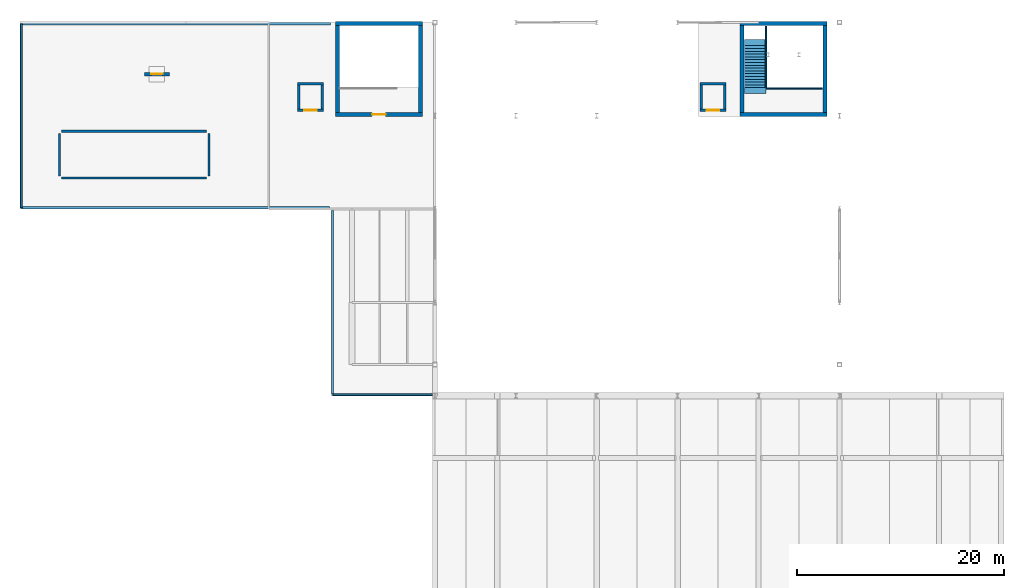
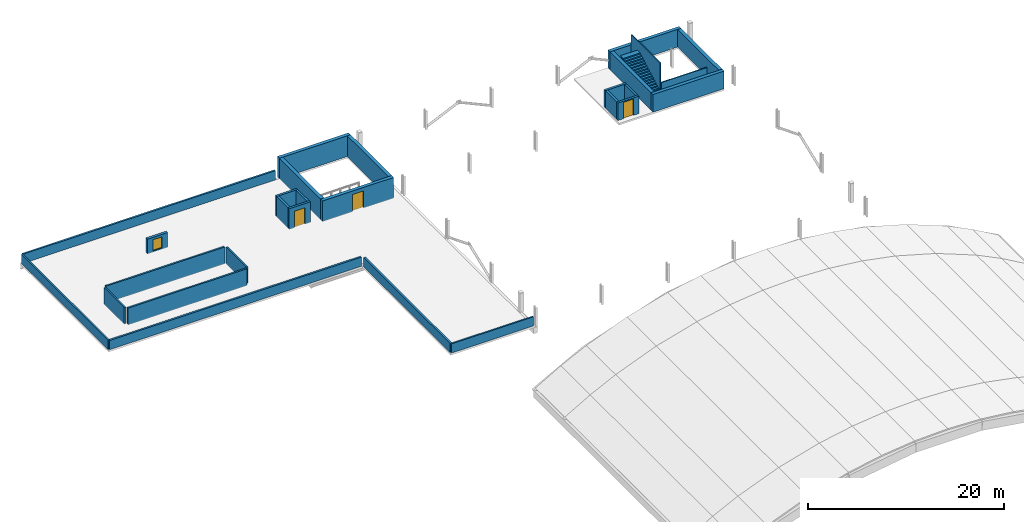
# One storey, part 11 of 12: 28 walls, 4 doors, 1 stair flight, 4 openings, 1 element without a shape of its own.
"""IFC4 building model written with IfcOpenShell, lengths in metres."""

from ifc_helpers import new_model, si_unit, derived_unit, direction, frame, frame_2d, origin, place, context, subcontext, project, spatial, polyline, rectangle, outline, extrude, material, layer, layer_set, type_object, element, fill, aggregate, save


model = new_model("IFC4")

# Units and contexts
model_context = context("Model", 3, precision=1e-05, world=origin(), true_north=direction((0.0, 1.0)))
body_context = subcontext(model_context, "Body", "Model", "MODEL_VIEW")
ifc_project = project(units=[si_unit("LENGTHUNIT", "METRE"), si_unit("AREAUNIT", "SQUARE_METRE"), si_unit("VOLUMEUNIT", "CUBIC_METRE"), si_unit("PLANEANGLEUNIT", "RADIAN"), si_unit("MASSUNIT", "GRAM", prefix="KILO"), derived_unit("THERMALTRANSMITTANCEUNIT", [(si_unit("POWERUNIT", "WATT"), 1), (si_unit("LENGTHUNIT", "METRE"), -2), (si_unit("THERMODYNAMICTEMPERATUREUNIT", "KELVIN"), -1)])], contexts=[model_context])

# Site, building, storey
site_placement = place(None, origin())
site = spatial("IfcSite", under=ifc_project, at=site_placement, CompositionType="ELEMENT")
building_placement = place(site_placement, origin())
building = spatial("IfcBuilding", under=site, at=building_placement, Name="Nallur Shell Playhouse", CompositionType="ELEMENT")
storey_placement = place(building_placement, frame((0.0, 0.0, 28.800048828125)))
storey = spatial("IfcBuildingStorey", under=building, at=storey_placement, Name="RF1", CompositionType="ELEMENT", Elevation=28.800048828125)

# Wall, opening, door
ifc_material_1 = material(Name="Concrete M45", Category="concrete")
ifc_layer_1 = layer(ifc_material_1, 0.39990234375)
ifc_layer_set_1 = layer_set([ifc_layer_1], Name="Concrete M45")
wall_type_1 = type_object("IfcWallType", Name="WL-CORE-400", PredefinedType="SHEAR", material=ifc_layer_set_1)
wall_1_placement = place(storey_placement, frame((54.39990234375, 74.10009765625, 0.0), z_axis=(0.0, 0.0, 1.0), x_axis=(1.0, 0.0, 0.0)))
wall_1 = element("IfcWall", 1, at=wall_1_placement, inside=storey, type_object=wall_type_1, Name="Joint Core JC-3 shear wall S (RF1)", PredefinedType="SHEAR", context=body_context, shape_type="SweptSolid", body=[
    extrude(rectangle(XDim=8.400146484375, YDim=0.39990234375, at=frame_2d((4.2001953125, 0.0))), origin(), (0.0, 0.0, 1.0), 2.579833984375),
])
opening_1_placement = place(wall_1_placement, frame((3.550048828125, 0.0, 0.0)))
opening_1 = element("IfcOpeningElement", 2, at=opening_1_placement, cuts=wall_1, Name="Opening FD-ST2", PredefinedType="OPENING", context=body_context, shape_type="SweptSolid", body=[
    extrude(rectangle(XDim=1.300048828125, YDim=2.14990234375, at=frame_2d((0.64990234375, 1.074951171875))), frame((0.0, 0.2099609375, 0.0), z_axis=(0.0, -1.0, 0.0), x_axis=(1.0, 0.0, 0.0)), (0.0, 0.0, 1.0), 0.419921875),
])
ifc_material_2 = material(Name="Galvanised Steel Fire-Rated Stair Door", Category="steel")
door_type_1 = type_object("IfcDoorType", Name="DR-INT-STAIR-R", OperationType="SINGLE_SWING_RIGHT", PredefinedType="DOOR", material=ifc_material_2)
door_1_placement = place(opening_1_placement, origin())
door_1 = element("IfcDoor", 3, at=door_1_placement, inside=storey, type_object=door_type_1, Name="Exit stair ST-03 fire door (RF1)", OperationType="SINGLE_SWING_RIGHT", OverallHeight=2.14990234375, OverallWidth=1.300048828125, PredefinedType="DOOR", context=body_context, shape_type="SweptSolid", body=[
    extrude(rectangle(XDim=1.300048828125, YDim=2.14990234375, at=frame_2d((0.64990234375, 1.074951171875))), frame((0.0, 0.02490234375, 0.0), z_axis=(0.0, -1.0, 0.0), x_axis=(1.0, 0.0, 0.0)), (0.0, 0.0, 1.0), 0.050048828125),
])
fill(opening_1, door_1)

# Walls
wall_2_placement = place(storey_placement, frame((62.800048828125, 82.89990234375, 0.0), z_axis=(0.0, 0.0, 1.0), x_axis=(-1.0, 0.0, 0.0)))
element("IfcWall", 4, at=wall_2_placement, inside=storey, type_object=wall_type_1, Name="Joint Core JC-3 shear wall N (RF1)", PredefinedType="SHEAR", context=body_context, shape_type="SweptSolid", body=[
    extrude(rectangle(XDim=8.400146484375, YDim=0.39990234375, at=frame_2d((4.2001953125, 0.0))), origin(), (0.0, 0.0, 1.0), 2.579833984375),
])
for number, where, z_axis, x_axis, name in (
    (5, (62.60009765625, 74.31005859375, 0.0), (0.0, 0.0, 1.0), (0.0, 1.0, 0.0), "Joint Core JC-3 shear wall E (RF1)"),
    (6, (54.60009765625, 82.68994140625, 0.0), (0.0, 0.0, 1.0), (0.0, -1.0, 0.0), "Joint Core JC-3 shear wall W (RF1)"),
):
    element("IfcWall", number, at=place(storey_placement, frame(where, z_axis=z_axis, x_axis=x_axis)), inside=storey, type_object=wall_type_1, Name=name, PredefinedType="SHEAR", context=body_context, shape_type="SweptSolid", body=[
        extrude(rectangle(XDim=8.3798828125, YDim=0.39990234375, at=frame_2d((4.18994140625, 0.0))), origin(), (0.0, 0.0, 1.0), 2.579833984375),
    ])
for number, where, z_axis, x_axis, name in (
    (7, (93.39990234375, 74.10009765625, 0.0), (0.0, 0.0, 1.0), (1.0, 0.0, 0.0), "Joint Core JC-4 shear wall S (RF1)"),
    (8, (101.800048828125, 82.89990234375, 0.0), (0.0, 0.0, 1.0), (-1.0, 0.0, 0.0), "Joint Core JC-4 shear wall N (RF1)"),
):
    element("IfcWall", number, at=place(storey_placement, frame(where, z_axis=z_axis, x_axis=x_axis)), inside=storey, type_object=wall_type_1, Name=name, PredefinedType="SHEAR", context=body_context, shape_type="SweptSolid", body=[
        extrude(rectangle(XDim=8.400146484375, YDim=0.39990234375, at=frame_2d((4.2001953125, 0.0))), origin(), (0.0, 0.0, 1.0), 2.199951171875),
    ])
for number, where, z_axis, x_axis, name in (
    (9, (101.60009765625, 74.31005859375, 0.0), (0.0, 0.0, 1.0), (0.0, 1.0, 0.0), "Joint Core JC-4 shear wall E (RF1)"),
    (10, (93.60009765625, 82.68994140625, 0.0), (0.0, 0.0, 1.0), (0.0, -1.0, 0.0), "Joint Core JC-4 shear wall W (RF1)"),
):
    element("IfcWall", number, at=place(storey_placement, frame(where, z_axis=z_axis, x_axis=x_axis)), inside=storey, type_object=wall_type_1, Name=name, PredefinedType="SHEAR", context=body_context, shape_type="SweptSolid", body=[
        extrude(rectangle(XDim=8.3798828125, YDim=0.39990234375, at=frame_2d((4.18994140625, 0.0))), origin(), (0.0, 0.0, 1.0), 2.199951171875),
    ])

# Wall, opening, door
ifc_material_3 = material(Name="Concrete M35", Category="concrete")
ifc_layer_2 = layer(ifc_material_3, 0.300048828125)
ifc_layer_set_2 = layer_set([ifc_layer_2], Name="Concrete M35")
wall_type_2 = type_object("IfcWallType", Name="WL-EXT-RC300", PredefinedType="STANDARD", material=ifc_layer_set_2)
wall_3_placement = place(storey_placement, frame((36.0, 78.0, 0.0), z_axis=(0.0, 0.0, 1.0), x_axis=(1.0, 0.0, 0.0)))
wall_3 = element("IfcWall", 11, at=wall_3_placement, inside=storey, type_object=wall_type_2, Name="RF1 roof access hatch bulkhead wall 05", PredefinedType="STANDARD", context=body_context, shape_type="SweptSolid", body=[
    extrude(rectangle(XDim=2.39990234375, YDim=0.300048828125, at=frame_2d((1.199951171875, 0.0))), origin(), (0.0, 0.0, 1.0), 1.849853515625),
])
opening_2_placement = place(wall_3_placement, frame((0.64990234375, 0.0, 0.14990234375)))
opening_2 = element("IfcOpeningElement", 12, at=opening_2_placement, cuts=wall_3, Name="Opening RH-01", PredefinedType="OPENING", context=body_context, shape_type="SweptSolid", body=[
    extrude(rectangle(XDim=1.10009765625, YDim=1.39990234375, at=frame_2d((0.550048828125, 0.699951171875))), frame((0.0, 0.16015625, 0.0), z_axis=(0.0, -1.0, 0.0), x_axis=(1.0, 0.0, 0.0)), (0.0, 0.0, 1.0), 0.320068359375),
])
ifc_material_4 = material(Name="Insulated Weatherproof Roof Access Hatch Door")
door_type_2 = type_object("IfcDoorType", Name="DR-ROOF-HATCH", OperationType="SINGLE_SWING_LEFT", PredefinedType="TRAPDOOR", material=ifc_material_4)
door_2_placement = place(opening_2_placement, origin())
door_2 = element("IfcDoor", 13, at=door_2_placement, inside=storey, type_object=door_type_2, Name="Roof access trapdoor hatch RH-05", OperationType="SINGLE_SWING_LEFT", OverallHeight=1.39990234375, OverallWidth=1.10009765625, PredefinedType="TRAPDOOR", context=body_context, shape_type="SweptSolid", body=[
    extrude(rectangle(XDim=1.10009765625, YDim=1.39990234375, at=frame_2d((0.550048828125, 0.699951171875))), frame((0.0, 0.02490234375, 0.0), z_axis=(0.0, -1.0, 0.0), x_axis=(1.0, 0.0, 0.0)), (0.0, 0.0, 1.0), 0.050048828125),
])
fill(opening_2, door_2)

# Walls
ifc_layer_3 = layer(ifc_material_3, 0.179931640625)
ifc_layer_set_3 = layer_set([ifc_layer_3], Name="Concrete M35")
wall_type_3 = type_object("IfcWallType", Name="WL-PARAPET-180", PredefinedType="PARAPET", material=ifc_layer_set_3)
wall_4_placement = place(storey_placement, frame((24.110107421875, 65.1298828125, 0.0), z_axis=(0.0, 0.0, 1.0), x_axis=(0.0, 1.0, 0.0)))
element("IfcWall", 14, at=wall_4_placement, inside=storey, type_object=wall_type_3, Name="RF1 concrete roof parapet PAR-044", PredefinedType="PARAPET", context=body_context, shape_type="SweptSolid", body=[
    extrude(rectangle(XDim=17.740234375, YDim=0.179931640625, at=frame_2d((8.8701171875, 0.0))), origin(), (0.0, 0.0, 1.0), 1.14990234375),
])
wall_5_placement = place(storey_placement, frame((63.800048828125, 47.110107421875, 0.0), z_axis=(0.0, 0.0, 1.0), x_axis=(-1.0, 0.0, 0.0)))
element("IfcWall", 15, at=wall_5_placement, inside=storey, type_object=wall_type_3, Name="RF1 concrete roof parapet PAR-046", PredefinedType="PARAPET", context=body_context, shape_type="SweptSolid", body=[
    extrude(rectangle(XDim=9.670166015625, YDim=0.179931640625, at=frame_2d((4.8349609375, 0.0))), origin(), (0.0, 0.0, 1.0), 1.14990234375),
])
ifc_layer_4 = layer(ifc_material_3, 0.219970703125)
ifc_layer_set_4 = layer_set([ifc_layer_4], Name="Concrete M35")
wall_type_4 = type_object("IfcWallType", Name="WL-PARAPET-220", PredefinedType="PARAPET", material=ifc_layer_set_4)
wall_6_placement = place(storey_placement, frame((53.85009765625, 65.1298828125, 0.0), z_axis=(0.0, 0.0, 1.0), x_axis=(-1.0, 0.0, 0.0)))
element("IfcWall", 16, at=wall_6_placement, inside=storey, type_object=wall_type_4, Name="RF1 concrete roof parapet PAR-043", PredefinedType="PARAPET", context=body_context, shape_type="SweptSolid", body=[
    extrude(rectangle(XDim=29.7001953125, YDim=0.219970703125, at=frame_2d((14.85009765625, 0.0))), origin(), (0.0, 0.0, 1.0), 1.14990234375),
])
wall_7_placement = place(storey_placement, frame((24.14990234375, 82.8701171875, 0.0), z_axis=(0.0, 0.0, 1.0), x_axis=(1.0, 0.0, 0.0)))
element("IfcWall", 17, at=wall_7_placement, inside=storey, type_object=wall_type_4, Name="RF1 concrete roof parapet PAR-045", PredefinedType="PARAPET", context=body_context, shape_type="SweptSolid", body=[
    extrude(rectangle(XDim=29.800048828125, YDim=0.219970703125, at=frame_2d((14.89990234375, 0.0))), origin(), (0.0, 0.0, 1.0), 1.14990234375),
])
wall_8_placement = place(storey_placement, frame((54.1298828125, 47.14990234375, 0.0), z_axis=(0.0, 0.0, 1.0), x_axis=(0.0, 1.0, 0.0)))
element("IfcWall", 18, at=wall_8_placement, inside=storey, type_object=wall_type_4, Name="RF1 concrete roof parapet PAR-047", PredefinedType="PARAPET", context=body_context, shape_type="SweptSolid", body=[
    extrude(rectangle(XDim=17.7001953125, YDim=0.219970703125, at=frame_2d((8.85009765625, 0.0))), origin(), (0.0, 0.0, 1.0), 1.14990234375),
])
ifc_material_5 = material(Name="Concrete M25 Fire Blockwork", Category="masonry")
ifc_layer_5 = layer(ifc_material_5, 0.1201171875)
ifc_layer_set_5 = layer_set([ifc_layer_5], Name="Concrete M25 Fire Blockwork")
wall_type_5 = type_object("IfcWallType", Name="WL-PART-WET120", PredefinedType="PARTITIONING", material=ifc_layer_set_5)
wall_9_placement = place(storey_placement, frame((95.919921875, 76.6201171875, 0.0), z_axis=(0.0, 0.0, 1.0), x_axis=(1.0, 0.0, 0.0)))
element("IfcWall", 19, at=wall_9_placement, inside=storey, type_object=wall_type_5, Name="Stair ST-04-RF1 floor well guard wall", PredefinedType="PARTITIONING", context=body_context, shape_type="SweptSolid", body=[
    extrude(rectangle(XDim=5.420166015625, YDim=0.1201171875, at=frame_2d((2.7099609375, 0.0))), origin(), (0.0, 0.0, 1.0), 1.199951171875),
])
wall_10_placement = place(storey_placement, frame((95.919921875, 76.719970703125, 0.0), z_axis=(0.0, 0.0, 1.0), x_axis=(0.0, 1.0, 0.0)))
element("IfcWall", 20, at=wall_10_placement, inside=storey, type_object=wall_type_5, Name="Stair ST-04-RF1 flight enclosure wall", PredefinedType="PARTITIONING", context=body_context, shape_type="SweptSolid", body=[
    extrude(rectangle(XDim=5.880126953125, YDim=0.1201171875, at=frame_2d((2.93994140625, 0.0))), origin(), (0.0, 0.0, 1.0), 3.550048828125),
])
ifc_material_6 = material(Name="Precast concrete M40", Category="concrete")
ifc_layer_6 = layer(ifc_material_6, 0.199951171875)
ifc_layer_set_6 = layer_set([ifc_layer_6], Name="Precast concrete M40")
wall_type_6 = type_object("IfcWallType", Name="WL-SCREEN-200", PredefinedType="USERDEFINED", material=ifc_layer_set_6)
wall_11_placement = place(storey_placement, frame((28.0, 68.0, 0.0), z_axis=(0.0, 0.0, 1.0), x_axis=(1.0, 0.0, 0.0)))
element("IfcWall", 21, at=wall_11_placement, inside=storey, type_object=wall_type_6, Name="Acoustic roof plant louvred screen wall 01", ObjectType="PLANT SCREEN WALL", PredefinedType="USERDEFINED", context=body_context, shape_type="SweptSolid", body=[
    extrude(rectangle(XDim=14.0, YDim=0.199951171875, at=frame_2d((7.0, 0.0))), origin(), (0.0, 0.0, 1.0), 2.099853515625),
])
wall_12_placement = place(storey_placement, frame((42.199951171875, 68.199951171875, 0.0), z_axis=(0.0, 0.0, 1.0), x_axis=(0.0, 1.0, 0.0)))
element("IfcWall", 22, at=wall_12_placement, inside=storey, type_object=wall_type_6, Name="Acoustic roof plant louvred screen wall 02", ObjectType="PLANT SCREEN WALL", PredefinedType="USERDEFINED", context=body_context, shape_type="SweptSolid", body=[
    extrude(rectangle(XDim=4.10009765625, YDim=0.199951171875, at=frame_2d((2.050048828125, 0.0))), origin(), (0.0, 0.0, 1.0), 2.099853515625),
])
wall_13_placement = place(storey_placement, frame((28.0, 72.5, 0.0), z_axis=(0.0, 0.0, 1.0), x_axis=(1.0, 0.0, 0.0)))
element("IfcWall", 23, at=wall_13_placement, inside=storey, type_object=wall_type_6, Name="Acoustic roof plant louvred screen wall 03", ObjectType="PLANT SCREEN WALL", PredefinedType="USERDEFINED", context=body_context, shape_type="SweptSolid", body=[
    extrude(rectangle(XDim=14.0, YDim=0.199951171875, at=frame_2d((7.0, 0.0))), origin(), (0.0, 0.0, 1.0), 2.099853515625),
])
wall_14_placement = place(storey_placement, frame((27.800048828125, 68.199951171875, 0.0), z_axis=(0.0, 0.0, 1.0), x_axis=(0.0, 1.0, 0.0)))
element("IfcWall", 24, at=wall_14_placement, inside=storey, type_object=wall_type_6, Name="Acoustic roof plant louvred screen wall 04", ObjectType="PLANT SCREEN WALL", PredefinedType="USERDEFINED", context=body_context, shape_type="SweptSolid", body=[
    extrude(rectangle(XDim=4.10009765625, YDim=0.199951171875, at=frame_2d((2.050048828125, 0.0))), origin(), (0.0, 0.0, 1.0), 2.099853515625),
])

# Wall, opening, door
ifc_layer_7 = layer(ifc_material_1, 0.25)
ifc_layer_set_7 = layer_set([ifc_layer_7], Name="Concrete M45")
wall_type_7 = type_object("IfcWallType", Name="WL-SHAFT-250", PredefinedType="STANDARD", material=ifc_layer_set_7)
wall_15_placement = place(storey_placement, frame((50.75, 74.52490234375, 0.0), z_axis=(0.0, 0.0, 1.0), x_axis=(1.0, 0.0, 0.0)))
wall_15 = element("IfcWall", 25, at=wall_15_placement, inside=storey, type_object=wall_type_7, Name="Fireman's Lift FL-1 shaft wall south (RF1)", PredefinedType="STANDARD", context=body_context, shape_type="SweptSolid", body=[
    extrude(rectangle(XDim=2.5, YDim=0.25, at=frame_2d((1.25, 0.0))), origin(), (0.0, 0.0, 1.0), 2.579833984375),
])
opening_3_placement = place(wall_15_placement, frame((0.64990234375, 0.0, 0.0)))
opening_3 = element("IfcOpeningElement", 26, at=opening_3_placement, cuts=wall_15, Name="Opening LD-F1", PredefinedType="OPENING", context=body_context, shape_type="SweptSolid", body=[
    extrude(rectangle(XDim=1.199951171875, YDim=2.050048828125, at=frame_2d((0.60009765625, 1.02490234375))), frame((0.0, 0.135009765625, 0.0), z_axis=(0.0, -1.0, 0.0), x_axis=(1.0, 0.0, 0.0)), (0.0, 0.0, 1.0), 0.27001953125),
])
ifc_material_7 = material(Name="Fireman Lift Fire-Rated Sliding Landing Door")
door_type_3 = type_object("IfcDoorType", Name="DR-LIFT-FIRE", OperationType="DOUBLE_DOOR_SLIDING", PredefinedType="DOOR", material=ifc_material_7)
door_3_placement = place(opening_3_placement, origin())
door_3 = element("IfcDoor", 27, at=door_3_placement, inside=storey, type_object=door_type_3, Name="Fireman's Lift FL-1 sliding landing door (RF1)", OperationType="DOUBLE_DOOR_SLIDING", OverallHeight=2.050048828125, OverallWidth=1.199951171875, PredefinedType="DOOR", context=body_context, shape_type="SweptSolid", body=[
    extrude(rectangle(XDim=1.199951171875, YDim=2.050048828125, at=frame_2d((0.60009765625, 1.02490234375))), frame((0.0, 0.02490234375, 0.0), z_axis=(0.0, -1.0, 0.0), x_axis=(1.0, 0.0, 0.0)), (0.0, 0.0, 1.0), 0.050048828125),
])
fill(opening_3, door_3)

# Walls
wall_16_placement = place(storey_placement, frame((53.25, 77.074951171875, 0.0), z_axis=(0.0, 0.0, 1.0), x_axis=(-1.0, 0.0, 0.0)))
element("IfcWall", 28, at=wall_16_placement, inside=storey, type_object=wall_type_7, Name="Fireman's Lift FL-1 shaft wall north (RF1)", PredefinedType="STANDARD", context=body_context, shape_type="SweptSolid", body=[
    extrude(rectangle(XDim=2.5, YDim=0.25, at=frame_2d((1.25, 0.0))), origin(), (0.0, 0.0, 1.0), 2.579833984375),
])
for number, where, z_axis, x_axis, name in (
    (29, (53.125, 74.659912109375, 0.0), (0.0, 0.0, 1.0), (0.0, 1.0, 0.0), "Fireman's Lift FL-1 shaft wall east (RF1)"),
    (30, (50.875, 76.93994140625, 0.0), (0.0, 0.0, 1.0), (0.0, -1.0, 0.0), "Fireman's Lift FL-1 shaft wall west (RF1)"),
):
    element("IfcWall", number, at=place(storey_placement, frame(where, z_axis=z_axis, x_axis=x_axis)), inside=storey, type_object=wall_type_7, Name=name, PredefinedType="STANDARD", context=body_context, shape_type="SweptSolid", body=[
        extrude(rectangle(XDim=2.280029296875, YDim=0.25, at=frame_2d((1.14013671875, 0.0))), origin(), (0.0, 0.0, 1.0), 2.579833984375),
    ])

# Wall, opening, door
wall_17_placement = place(storey_placement, frame((89.550048828125, 74.52490234375, 0.0), z_axis=(0.0, 0.0, 1.0), x_axis=(1.0, 0.0, 0.0)))
wall_17 = element("IfcWall", 31, at=wall_17_placement, inside=storey, type_object=wall_type_7, Name="Fireman's Lift FL-2 shaft wall south (RF1)", PredefinedType="STANDARD", context=body_context, shape_type="SweptSolid", body=[
    extrude(rectangle(XDim=2.5, YDim=0.25, at=frame_2d((1.25, 0.0))), origin(), (0.0, 0.0, 1.0), 2.18994140625),
])
opening_4_placement = place(wall_17_placement, frame((0.64990234375, 0.0, 0.0)))
opening_4 = element("IfcOpeningElement", 32, at=opening_4_placement, cuts=wall_17, Name="Opening LD-F1", PredefinedType="OPENING", context=body_context, shape_type="SweptSolid", body=[
    extrude(rectangle(XDim=1.199951171875, YDim=2.050048828125, at=frame_2d((0.60009765625, 1.02490234375))), frame((0.0, 0.135009765625, 0.0), z_axis=(0.0, -1.0, 0.0), x_axis=(1.0, 0.0, 0.0)), (0.0, 0.0, 1.0), 0.27001953125),
])
door_4_placement = place(opening_4_placement, origin())
door_4 = element("IfcDoor", 33, at=door_4_placement, inside=storey, type_object=door_type_3, Name="Fireman's Lift FL-2 sliding landing door (RF1)", OperationType="DOUBLE_DOOR_SLIDING", OverallHeight=2.050048828125, OverallWidth=1.199951171875, PredefinedType="DOOR", context=body_context, shape_type="SweptSolid", body=[
    extrude(rectangle(XDim=1.199951171875, YDim=2.050048828125, at=frame_2d((0.60009765625, 1.02490234375))), frame((0.0, 0.02490234375, 0.0), z_axis=(0.0, -1.0, 0.0), x_axis=(1.0, 0.0, 0.0)), (0.0, 0.0, 1.0), 0.050048828125),
])
fill(opening_4, door_4)

# Walls
wall_18_placement = place(storey_placement, frame((92.050048828125, 77.074951171875, 0.0), z_axis=(0.0, 0.0, 1.0), x_axis=(-1.0, 0.0, 0.0)))
element("IfcWall", 34, at=wall_18_placement, inside=storey, type_object=wall_type_7, Name="Fireman's Lift FL-2 shaft wall north (RF1)", PredefinedType="STANDARD", context=body_context, shape_type="SweptSolid", body=[
    extrude(rectangle(XDim=2.5, YDim=0.25, at=frame_2d((1.25, 0.0))), origin(), (0.0, 0.0, 1.0), 2.18994140625),
])
for number, where, z_axis, x_axis, name in (
    (35, (91.925048828125, 74.659912109375, 0.0), (0.0, 0.0, 1.0), (0.0, 1.0, 0.0), "Fireman's Lift FL-2 shaft wall east (RF1)"),
    (36, (89.675048828125, 76.93994140625, 0.0), (0.0, 0.0, 1.0), (0.0, -1.0, 0.0), "Fireman's Lift FL-2 shaft wall west (RF1)"),
):
    element("IfcWall", number, at=place(storey_placement, frame(where, z_axis=z_axis, x_axis=x_axis)), inside=storey, type_object=wall_type_7, Name=name, PredefinedType="STANDARD", context=body_context, shape_type="SweptSolid", body=[
        extrude(rectangle(XDim=2.280029296875, YDim=0.25, at=frame_2d((1.14013671875, 0.0))), origin(), (0.0, 0.0, 1.0), 2.18994140625),
    ])

# Stair, stair flight
stair_type = type_object("IfcStairType", Name="ST-STRAIGHT-24", PredefinedType="STRAIGHT_RUN_STAIR", material=ifc_material_3)
stair_placement = place(storey_placement, origin())
stair = element("IfcStair", 37, at=stair_placement, inside=storey, type_object=stair_type, Name="Core JC-4 straight roof stair ST-04-RF1 (RF1 to RF2)", PredefinedType="STRAIGHT_RUN_STAIR")
stair_flight_type = type_object("IfcStairFlightType", Name="ST-FLIGHT-208", PredefinedType="STRAIGHT", material=ifc_material_3)
stair_flight_placement = place(storey_placement, frame((94.889892578125, 76.699951171875, 0.0), z_axis=(0.0, 0.0, 1.0), x_axis=(0.0, 1.0, 0.0)))
stair_flight = element("IfcStairFlight", 38, at=stair_flight_placement, type_object=stair_flight_type, Name="ST-24 flight 1", NumberOfRisers=16, NumberOfTreads=15, PredefinedType="STRAIGHT", RiserHeight=0.15, TreadLength=0.27, context=body_context, shape_type="SweptSolid", body=[
    extrude(outline(polyline([(-0.580078125, 0.0), (-0.580078125, 0.01806640625), (0.0, 0.01806640625), (0.0, 0.14990234375), (0.27001953125, 0.14990234375), (0.27001953125, 0.300048828125), (0.5400390625, 0.300048828125), (0.5400390625, 0.449951171875), (0.81005859375, 0.449951171875), (0.81005859375, 0.60009765625), (1.080078125, 0.60009765625), (1.080078125, 0.75), (1.35009765625, 0.75), (1.35009765625, 0.89990234375), (1.6201171875, 0.89990234375), (1.6201171875, 1.050048828125), (1.889892578125, 1.050048828125), (1.889892578125, 1.199951171875), (2.159912109375, 1.199951171875), (2.159912109375, 1.35009765625), (2.429931640625, 1.35009765625), (2.429931640625, 1.5), (2.699951171875, 1.5), (2.699951171875, 1.64990234375), (2.969970703125, 1.64990234375), (2.969970703125, 1.800048828125), (3.239990234375, 1.800048828125), (3.239990234375, 1.949951171875), (3.510009765625, 1.949951171875), (3.510009765625, 2.10009765625), (3.780029296875, 2.10009765625), (3.780029296875, 2.25), (4.050048828125, 2.25), (4.050048828125, 2.39990234375), (4.630126953125, 2.39990234375), (4.630126953125, 2.3818359375), (4.050048828125, 2.067138671875), (0.329345703125, 0.0), (-0.580078125, 0.0)])), frame((0.0, 1.030029296875, 0.0), z_axis=(0.0, -1.0, 0.0), x_axis=(1.0, 0.0, 0.0)), (0.0, 0.0, 1.0), 2.06005859375),
])
aggregate(stair, [stair_flight])

save(model, "model.ifc")
